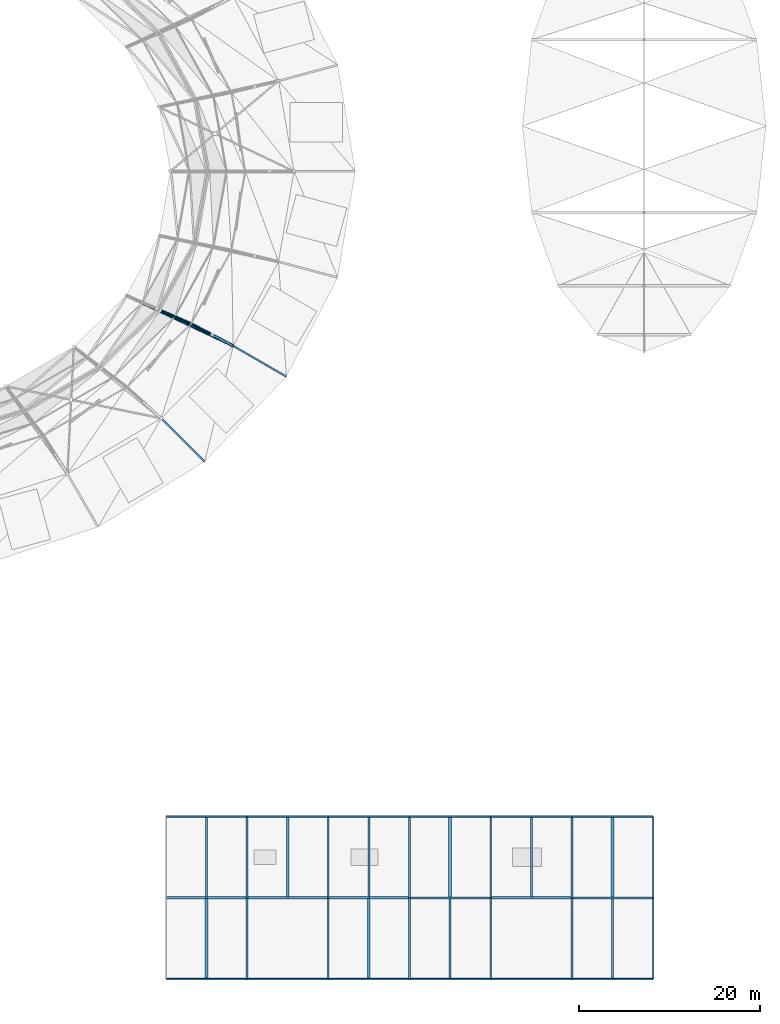
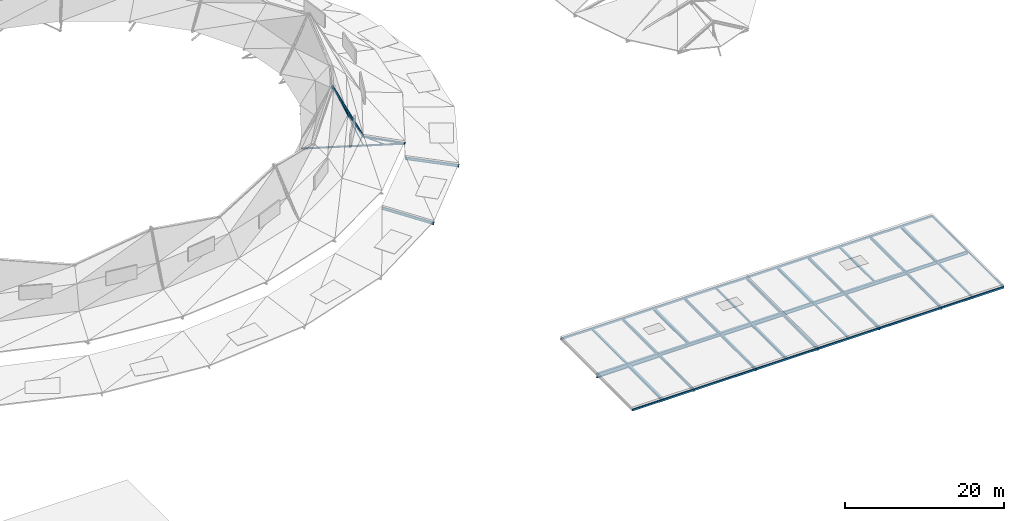
# One storey, part 17 of 36: 43 beams, 4 members.
"""IFC4 building model written with IfcOpenShell, lengths in metres."""

from ifc_helpers import new_model, si_unit, direction, frame, origin, origin_2d, place, context, subcontext, project, spatial, hollow_rectangle, hollow_circle, i_section, extrude, material, material_profile, profile_set, type_object, element, save


model = new_model("IFC4")

# Units and contexts
model_context = context("Model", 3, precision=1e-05, world=origin(), true_north=direction((0.0, 1.0)))
body_context = subcontext(model_context, "Body", "Model", "MODEL_VIEW")
ifc_project = project(units=[si_unit("LENGTHUNIT", "METRE"), si_unit("AREAUNIT", "SQUARE_METRE"), si_unit("VOLUMEUNIT", "CUBIC_METRE"), si_unit("PLANEANGLEUNIT", "RADIAN"), si_unit("MASSUNIT", "GRAM", prefix="KILO")], contexts=[model_context])

# Site, building, storey
site_placement = place(None, origin())
site = spatial("IfcSite", under=ifc_project, at=site_placement, CompositionType="ELEMENT")
building_placement = place(site_placement, origin())
building = spatial("IfcBuilding", under=site, at=building_placement, Name="Kildeholm Park Wholesale Market", CompositionType="ELEMENT")
storey_placement = place(building_placement, frame((0.0, 0.0, 17.39990234375)))
storey = spatial("IfcBuildingStorey", under=building, at=storey_placement, Name="Roof", CompositionType="ELEMENT", Elevation=17.39990234375)

# Beams
ifc_material = material(Name="Steel S355", Category="steel")
ifc_material_profile_1 = material_profile(ifc_material, i_section(OverallWidth=0.179931640625, OverallDepth=0.39990234375, WebThickness=0.008544921875, FlangeThickness=0.013427734375, FilletRadius=0.02099609375, at=origin_2d()), Name="IPE 400")
ifc_profile_set_1 = profile_set([ifc_material_profile_1], Name="Steel S355")
beam_type_1 = type_object("IfcBeamType", Name="Beam B-P01 IPE 400", PredefinedType="BEAM", material=ifc_profile_set_1)
beam_1_placement = place(storey_placement, frame((139.304931640625, 57.326904296875, -8.0244140625), z_axis=(-0.697189304401, 0.6972247073, 0.166747657733), x_axis=(-0.707124733755, -0.707088828163, 0.0)))
element("IfcBeam", 1, at=beam_1_placement, inside=storey, type_object=beam_type_1, Name="Beam BM-V1-RF-S1-21 BM-0345", PredefinedType="BEAM", context=body_context, shape_type="SweptSolid", body=[
    extrude(i_section(OverallWidth=0.179931640625, OverallDepth=0.39990234375, WebThickness=0.008544921875, FlangeThickness=0.013427734375, FilletRadius=0.02099609375, at=origin_2d()), origin(), (0.0, 0.0, 1.0), 6.89599609375),
])
beam_2_placement = place(storey_placement, frame((148.363037109375, 66.75, -8.0244140625), z_axis=(-0.853906130286, 0.492993523087, 0.166738438442), x_axis=(-0.499992841449, -0.866029536736, 0.0)))
element("IfcBeam", 2, at=beam_2_placement, inside=storey, type_object=beam_type_1, Name="Beam BM-V1-RF-S1-22 BM-0351", PredefinedType="BEAM", context=body_context, shape_type="SweptSolid", body=[
    extrude(i_section(OverallWidth=0.179931640625, OverallDepth=0.39990234375, WebThickness=0.008544921875, FlangeThickness=0.013427734375, FilletRadius=0.02099609375, at=origin_2d()), origin(), (0.0, 0.0, 1.0), 6.896484375),
])
ifc_material_profile_2 = material_profile(ifc_material, i_section(OverallWidth=0.18994140625, OverallDepth=0.449951171875, WebThickness=0.009521484375, FlangeThickness=0.0146484375, FilletRadius=0.02099609375, at=origin_2d()), Name="IPE 450")
ifc_profile_set_2 = profile_set([ifc_material_profile_2], Name="Steel S355")
beam_type_2 = type_object("IfcBeamType", Name="Beam B-P02 IPE 450", PredefinedType="BEAM", material=ifc_profile_set_2)
for number, where, z_axis, x_axis, name in (
    (3, (144.0, 0.0, -0.5048828125), (0.0, 1.0, 0.0), (-1.0, 0.0, 0.0), "Beam BM-V5E-Roof-Y-144-000 BM-1745"),
    (4, (144.0, 9.0, -0.5048828125), (0.0, 1.0, 0.0), (-1.0, 0.0, 0.0), "Beam BM-V5E-Roof-Y-144-009 BM-1747"),
    (5, (153.0, 0.0, -0.5048828125), (0.0, 1.0, 0.0), (-1.0, 0.0, 0.0), "Beam BM-V5E-Roof-Y-153-000 BM-1751"),
    (6, (153.0, 9.0, -0.5048828125), (0.0, 1.0, 0.0), (-1.0, 0.0, 0.0), "Beam BM-V5E-Roof-Y-153-009 BM-1754"),
    (7, (162.0, 0.0, -0.5048828125), (0.0, 1.0, 0.0), (-1.0, 0.0, 0.0), "Beam BM-V5E-Roof-Y-162-000 BM-1758"),
    (8, (162.0, 9.0, -0.5048828125), (0.0, 1.0, 0.0), (-1.0, 0.0, 0.0), "Beam BM-V5E-Roof-Y-162-009 BM-1761"),
    (9, (171.0, 0.0, -0.5048828125), (0.0, 1.0, 0.0), (-1.0, 0.0, 0.0), "Beam BM-V5E-Roof-Y-171-000 BM-1765"),
    (10, (171.0, 9.0, -0.5048828125), (0.0, 1.0, 0.0), (-1.0, 0.0, 0.0), "Beam BM-V5E-Roof-Y-171-009 BM-1767"),
    (11, (180.0, 0.0, -0.5048828125), (0.0, 1.0, 0.0), (-1.0, 0.0, 0.0), "Beam BM-V5E-Roof-Y-180-000 BM-1771"),
    (12, (180.0, 9.0, -0.5048828125), (0.0, 1.0, 0.0), (-1.0, 0.0, 0.0), "Beam BM-V5E-Roof-Y-180-009 BM-1774"),
):
    element("IfcBeam", number, at=place(storey_placement, frame(where, z_axis=z_axis, x_axis=x_axis)), inside=storey, type_object=beam_type_2, Name=name, PredefinedType="BEAM", context=body_context, shape_type="SweptSolid", body=[
        extrude(i_section(OverallWidth=0.18994140625, OverallDepth=0.449951171875, WebThickness=0.009521484375, FlangeThickness=0.0146484375, FilletRadius=0.02099609375, at=origin_2d()), origin(), (0.0, 0.0, 1.0), 9.0),
    ])
ifc_material_profile_3 = material_profile(ifc_material, i_section(OverallWidth=0.199951171875, OverallDepth=0.5, WebThickness=0.01025390625, FlangeThickness=0.01611328125, FilletRadius=0.02099609375, at=origin_2d()), Name="IPE 500")
ifc_profile_set_3 = profile_set([ifc_material_profile_3], Name="Steel S355")
beam_type_3 = type_object("IfcBeamType", Name="Beam B-P03 IPE 500", PredefinedType="BEAM", material=ifc_profile_set_3)
beam_3_placement = place(storey_placement, frame((180.0, 9.0, -0.52978515625), z_axis=(1.0, 0.0, 0.0), x_axis=(0.0, 1.0, 0.0)))
element("IfcBeam", 13, at=beam_3_placement, inside=storey, type_object=beam_type_3, Name="Beam BM-V5E-Roof-X-180-009 BM-1773", PredefinedType="BEAM", context=body_context, shape_type="SweptSolid", body=[
    extrude(i_section(OverallWidth=0.199951171875, OverallDepth=0.5, WebThickness=0.01025390625, FlangeThickness=0.01611328125, FilletRadius=0.02099609375, at=origin_2d()), origin(), (0.0, 0.0, 1.0), 9.0),
])
ifc_material_profile_4 = material_profile(ifc_material, hollow_circle(Radius=0.136474609375, WallThickness=0.01611328125, at=origin_2d()), Name="CHS 273x16")
ifc_profile_set_4 = profile_set([ifc_material_profile_4], Name="Steel S355")
beam_type_4 = type_object("IfcBeamType", Name="Beam B-T01 CHS 273x16", PredefinedType="BEAM", material=ifc_profile_set_4)
beam_4_placement = place(storey_placement, frame((142.47412109375, 70.14990234375, -4.6298828125), z_axis=(-0.904317894242, 0.426859632846, 0.0), x_axis=(-0.426859632846, -0.904317894242, 0.0)))
element("IfcBeam", 14, at=beam_4_placement, inside=storey, type_object=beam_type_4, Name="Beam BM-V1-TIE-22 BM-0356", PredefinedType="BEAM", context=body_context, shape_type="SweptSolid", body=[
    extrude(hollow_circle(Radius=0.136474609375, WallThickness=0.01611328125, at=origin_2d()), origin(), (0.0, 0.0, 1.0), 13.119384765625),
])
ifc_material_profile_5 = material_profile(ifc_material, i_section(OverallWidth=0.2099609375, OverallDepth=0.550048828125, WebThickness=0.010986328125, FlangeThickness=0.01708984375, FilletRadius=0.02392578125, at=origin_2d()), Name="IPE 550")
ifc_profile_set_5 = profile_set([ifc_material_profile_5], Name="Steel S355")
beam_type_5 = type_object("IfcBeamType", Name="Beam B-X01 IPE 550", PredefinedType="BEAM", material=ifc_profile_set_5)
beam_5_placement = place(storey_placement, frame((162.0, 9.0, -0.554931640625), z_axis=(1.0, 0.0, 0.0), x_axis=(0.0, 1.0, 0.0)))
element("IfcBeam", 15, at=beam_5_placement, inside=storey, type_object=beam_type_5, Name="Beam BM-V5E-Roof-X-162-009 BM-1760", PredefinedType="BEAM", context=body_context, shape_type="SweptSolid", body=[
    extrude(i_section(OverallWidth=0.2099609375, OverallDepth=0.550048828125, WebThickness=0.010986328125, FlangeThickness=0.01708984375, FilletRadius=0.02392578125, at=origin_2d()), origin(), (0.0, 0.0, 1.0), 9.0),
])
ifc_material_profile_6 = material_profile(ifc_material, i_section(OverallWidth=0.300048828125, OverallDepth=0.5400390625, WebThickness=0.012451171875, FlangeThickness=0.02392578125, FilletRadius=0.027099609375, at=origin_2d()), Name="HEA 550")
ifc_profile_set_6 = profile_set([ifc_material_profile_6], Name="Steel S355")
beam_type_6 = type_object("IfcBeamType", Name="Beam B-X02 HEA 550", PredefinedType="BEAM", material=ifc_profile_set_6)
beam_6_placement = place(storey_placement, frame((171.0, 9.0, -0.5498046875), z_axis=(1.0, 0.0, 0.0), x_axis=(0.0, 1.0, 0.0)))
element("IfcBeam", 16, at=beam_6_placement, inside=storey, type_object=beam_type_6, Name="Beam BM-V5E-Roof-X-171-009 BM-1766", PredefinedType="BEAM", context=body_context, shape_type="SweptSolid", body=[
    extrude(i_section(OverallWidth=0.300048828125, OverallDepth=0.5400390625, WebThickness=0.012451171875, FlangeThickness=0.02392578125, FilletRadius=0.027099609375, at=origin_2d()), origin(), (0.0, 0.0, 1.0), 9.0),
])
ifc_material_profile_7 = material_profile(ifc_material, i_section(OverallWidth=0.300048828125, OverallDepth=0.64990234375, WebThickness=0.01611328125, FlangeThickness=0.031005859375, FilletRadius=0.027099609375, at=origin_2d()), Name="HEB 650")
ifc_profile_set_7 = profile_set([ifc_material_profile_7], Name="Steel S355")
beam_type_7 = type_object("IfcBeamType", Name="Beam B-X04 HEB 650", PredefinedType="BEAM", material=ifc_profile_set_7)
beam_7_placement = place(storey_placement, frame((135.0, 9.0, -0.60498046875), z_axis=(1.0, 0.0, 0.0), x_axis=(0.0, 1.0, 0.0)))
element("IfcBeam", 17, at=beam_7_placement, inside=storey, type_object=beam_type_7, Name="Beam BM-V5E-Roof-X-135-009 BM-1740", PredefinedType="BEAM", context=body_context, shape_type="SweptSolid", body=[
    extrude(i_section(OverallWidth=0.300048828125, OverallDepth=0.64990234375, WebThickness=0.01611328125, FlangeThickness=0.031005859375, FilletRadius=0.027099609375, at=origin_2d()), origin(), (0.0, 0.0, 1.0), 9.0),
])
ifc_material_profile_8 = material_profile(ifc_material, i_section(OverallWidth=0.300048828125, OverallDepth=0.5, WebThickness=0.014404296875, FlangeThickness=0.028076171875, FilletRadius=0.027099609375, at=origin_2d()), Name="HEB 500")
ifc_profile_set_8 = profile_set([ifc_material_profile_8], Name="Steel S355")
beam_type_8 = type_object("IfcBeamType", Name="Beam B-X05 HEB 500", PredefinedType="BEAM", material=ifc_profile_set_8)
beam_8_placement = place(storey_placement, frame((144.0, 9.0, -0.52978515625), z_axis=(1.0, 0.0, 0.0), x_axis=(0.0, 1.0, 0.0)))
element("IfcBeam", 18, at=beam_8_placement, inside=storey, type_object=beam_type_8, Name="Beam BM-V5E-Roof-X-144-009 BM-1746", PredefinedType="BEAM", context=body_context, shape_type="SweptSolid", body=[
    extrude(i_section(OverallWidth=0.300048828125, OverallDepth=0.5, WebThickness=0.014404296875, FlangeThickness=0.028076171875, FilletRadius=0.027099609375, at=origin_2d()), origin(), (0.0, 0.0, 1.0), 9.0),
])
ifc_material_profile_9 = material_profile(ifc_material, i_section(OverallWidth=0.300048828125, OverallDepth=0.60009765625, WebThickness=0.015380859375, FlangeThickness=0.030029296875, FilletRadius=0.027099609375, at=origin_2d()), Name="HEB 600")
ifc_profile_set_9 = profile_set([ifc_material_profile_9], Name="Steel S355")
beam_type_9 = type_object("IfcBeamType", Name="Beam B-X06 HEB 600", PredefinedType="BEAM", material=ifc_profile_set_9)
beam_9_placement = place(storey_placement, frame((153.0, 9.0, -0.579833984375), z_axis=(1.0, 0.0, 0.0), x_axis=(0.0, 1.0, 0.0)))
element("IfcBeam", 19, at=beam_9_placement, inside=storey, type_object=beam_type_9, Name="Beam BM-V5E-Roof-X-153-009 BM-1753", PredefinedType="BEAM", context=body_context, shape_type="SweptSolid", body=[
    extrude(i_section(OverallWidth=0.300048828125, OverallDepth=0.60009765625, WebThickness=0.015380859375, FlangeThickness=0.030029296875, FilletRadius=0.027099609375, at=origin_2d()), origin(), (0.0, 0.0, 1.0), 9.0),
])
ifc_material_profile_10 = material_profile(ifc_material, i_section(OverallWidth=0.239990234375, OverallDepth=0.22998046875, WebThickness=0.007568359375, FlangeThickness=0.011962890625, FilletRadius=0.02099609375, at=origin_2d()), Name="HEA 240")
ifc_profile_set_10 = profile_set([ifc_material_profile_10], Name="Steel S355")
beam_type_10 = type_object("IfcBeamType", Name="Beam J-05 HEA 240", PredefinedType="JOIST", material=ifc_profile_set_10)
for number, where, z_axis, x_axis, name in (
    (20, (139.5, 9.0849609375, -0.39501953125), (0.0, 1.0, 0.0), (-1.0, 0.0, 0.0), "Beam JT-V5E-Roof-135-009 BM-1742"),
    (21, (157.5, 9.0849609375, -0.39501953125), (0.0, 1.0, 0.0), (-1.0, 0.0, 0.0), "Beam JT-V5E-Roof-153-009 BM-1755"),
    (22, (166.5, 0.0849609375, -0.39501953125), (0.0, 1.0, 0.0), (-1.0, 0.0, 0.0), "Beam JT-V5E-Roof-162-000 BM-1759"),
    (23, (175.5, 9.0849609375, -0.39501953125), (0.0, 1.0, 0.0), (-1.0, 0.0, 0.0), "Beam JT-V5E-Roof-171-009 BM-1768"),
    (24, (184.5, 0.0849609375, -0.39501953125), (0.0, 1.0, 0.0), (-1.0, 0.0, 0.0), "Beam JT-V5E-Roof-180-000 BM-1772"),
):
    element("IfcBeam", number, at=place(storey_placement, frame(where, z_axis=z_axis, x_axis=x_axis)), inside=storey, type_object=beam_type_10, Name=name, PredefinedType="JOIST", context=body_context, shape_type="SweptSolid", body=[
        extrude(i_section(OverallWidth=0.239990234375, OverallDepth=0.22998046875, WebThickness=0.007568359375, FlangeThickness=0.011962890625, FilletRadius=0.02099609375, at=origin_2d()), origin(), (0.0, 0.0, 1.0), 8.830078125),
    ])
ifc_material_profile_11 = material_profile(ifc_material, i_section(OverallWidth=0.300048828125, OverallDepth=0.389892578125, WebThickness=0.010986328125, FlangeThickness=0.01904296875, FilletRadius=0.027099609375, at=origin_2d()), Name="HEA 400")
ifc_profile_set_11 = profile_set([ifc_material_profile_11], Name="Steel S355")
beam_type_11 = type_object("IfcBeamType", Name="Beam J-06 HEA 400", PredefinedType="JOIST", material=ifc_profile_set_11)
for number, where, z_axis, x_axis, name in (
    (25, (139.5, 0.0849609375, -0.474853515625), (0.0, 1.0, 0.0), (-1.0, 0.0, 0.0), "Beam JT-V5E-Roof-135-000 BM-1739"),
    (26, (148.5, 9.0849609375, -0.474853515625), (0.0, 1.0, 0.0), (-1.0, 0.0, 0.0), "Beam JT-V5E-Roof-144-009 BM-1748"),
    (27, (157.5, 0.0849609375, -0.474853515625), (0.0, 1.0, 0.0), (-1.0, 0.0, 0.0), "Beam JT-V5E-Roof-153-000 BM-1752"),
    (28, (166.5, 9.0849609375, -0.474853515625), (0.0, 1.0, 0.0), (-1.0, 0.0, 0.0), "Beam JT-V5E-Roof-162-009 BM-1762"),
    (29, (184.5, 9.0849609375, -0.474853515625), (0.0, 1.0, 0.0), (-1.0, 0.0, 0.0), "Beam JT-V5E-Roof-180-009 BM-1775"),
):
    element("IfcBeam", number, at=place(storey_placement, frame(where, z_axis=z_axis, x_axis=x_axis)), inside=storey, type_object=beam_type_11, Name=name, PredefinedType="JOIST", context=body_context, shape_type="SweptSolid", body=[
        extrude(i_section(OverallWidth=0.300048828125, OverallDepth=0.389892578125, WebThickness=0.010986328125, FlangeThickness=0.01904296875, FilletRadius=0.027099609375, at=origin_2d()), origin(), (0.0, 0.0, 1.0), 8.830078125),
    ])
ifc_material_profile_12 = material_profile(ifc_material, hollow_rectangle(XDim=0.199951171875, YDim=0.300048828125, WallThickness=0.012451171875, InnerFilletRadius=0.012451171875, OuterFilletRadius=0.02490234375, at=origin_2d()), Name="RHS 300x200x12.5")
ifc_profile_set_12 = profile_set([ifc_material_profile_12], Name="Steel S355")
beam_type_12 = type_object("IfcBeamType", Name="Beam SP-01 RHS 300x200x12.5", PredefinedType="SPANDREL", material=ifc_profile_set_12)
for number, where, z_axis, x_axis, name in (
    (30, (135.0, 0.0, -0.429931640625), (1.0, 0.0, 0.0), (0.0, 1.0, 0.0), "Beam BM-V5E-Roof-X-135-000 BM-1737"),
    (31, (135.0, 18.0, -0.429931640625), (1.0, 0.0, 0.0), (0.0, 1.0, 0.0), "Beam BM-V5E-Roof-X-135-018 BM-1743"),
    (32, (144.0, 0.0, -0.429931640625), (1.0, 0.0, 0.0), (0.0, 1.0, 0.0), "Beam BM-V5E-Roof-X-144-000 BM-1744"),
    (33, (144.0, 18.0, -0.429931640625), (1.0, 0.0, 0.0), (0.0, 1.0, 0.0), "Beam BM-V5E-Roof-X-144-018 BM-1749"),
    (34, (153.0, 0.0, -0.429931640625), (1.0, 0.0, 0.0), (0.0, 1.0, 0.0), "Beam BM-V5E-Roof-X-153-000 BM-1750"),
    (35, (153.0, 18.0, -0.429931640625), (1.0, 0.0, 0.0), (0.0, 1.0, 0.0), "Beam BM-V5E-Roof-X-153-018 BM-1756"),
    (36, (162.0, 0.0, -0.429931640625), (1.0, 0.0, 0.0), (0.0, 1.0, 0.0), "Beam BM-V5E-Roof-X-162-000 BM-1757"),
    (37, (162.0, 18.0, -0.429931640625), (1.0, 0.0, 0.0), (0.0, 1.0, 0.0), "Beam BM-V5E-Roof-X-162-018 BM-1763"),
    (38, (171.0, 0.0, -0.429931640625), (1.0, 0.0, 0.0), (0.0, 1.0, 0.0), "Beam BM-V5E-Roof-X-171-000 BM-1764"),
    (39, (171.0, 18.0, -0.429931640625), (1.0, 0.0, 0.0), (0.0, 1.0, 0.0), "Beam BM-V5E-Roof-X-171-018 BM-1769"),
    (40, (180.0, 0.0, -0.429931640625), (1.0, 0.0, 0.0), (0.0, 1.0, 0.0), "Beam BM-V5E-Roof-X-180-000 BM-1770"),
    (41, (180.0, 18.0, -0.429931640625), (1.0, 0.0, 0.0), (0.0, 1.0, 0.0), "Beam BM-V5E-Roof-X-180-018 BM-1776"),
):
    element("IfcBeam", number, at=place(storey_placement, frame(where, z_axis=z_axis, x_axis=x_axis)), inside=storey, type_object=beam_type_12, Name=name, PredefinedType="SPANDREL", context=body_context, shape_type="SweptSolid", body=[
        extrude(hollow_rectangle(XDim=0.199951171875, YDim=0.300048828125, WallThickness=0.012451171875, InnerFilletRadius=0.012451171875, OuterFilletRadius=0.02490234375, at=origin_2d()), origin(), (0.0, 0.0, 1.0), 9.0),
    ])
ifc_material_profile_13 = material_profile(ifc_material, hollow_rectangle(XDim=0.14990234375, YDim=0.25, WallThickness=0.010009765625, InnerFilletRadius=0.010009765625, OuterFilletRadius=0.02001953125, at=origin_2d()), Name="RHS 250x150x10")
ifc_profile_set_13 = profile_set([ifc_material_profile_13], Name="Steel S355")
beam_type_13 = type_object("IfcBeamType", Name="Beam SP-02 RHS 250x150x10", PredefinedType="SPANDREL", material=ifc_profile_set_13)
for number, where, z_axis, x_axis, name in (
    (42, (189.0, 0.0, -0.40478515625), (0.0, 1.0, 0.0), (-1.0, 0.0, 0.0), "Beam BM-V5E-Roof-Y-189-000 BM-1777"),
    (43, (189.0, 9.0, -0.40478515625), (0.0, 1.0, 0.0), (-1.0, 0.0, 0.0), "Beam BM-V5E-Roof-Y-189-009 BM-1778"),
):
    element("IfcBeam", number, at=place(storey_placement, frame(where, z_axis=z_axis, x_axis=x_axis)), inside=storey, type_object=beam_type_13, Name=name, PredefinedType="SPANDREL", context=body_context, shape_type="SweptSolid", body=[
        extrude(hollow_rectangle(XDim=0.14990234375, YDim=0.25, WallThickness=0.010009765625, InnerFilletRadius=0.010009765625, OuterFilletRadius=0.02001953125, at=origin_2d()), origin(), (0.0, 0.0, 1.0), 9.0),
    ])

# Members
ifc_material_profile_14 = material_profile(ifc_material, hollow_circle(Radius=0.084228515625, WallThickness=0.010009765625, at=origin_2d()), Name="CHS 168.3x10")
ifc_profile_set_14 = profile_set([ifc_material_profile_14], Name="Steel S355")
member_type_1 = type_object("IfcMemberType", Name="Member TB-01 CHS 168.3x10", PredefinedType="BRACE", material=ifc_profile_set_14)
member_1_placement = place(storey_placement, frame((140.135986328125, 71.375, -4.6298828125), z_axis=(-0.801693118644, 0.420101928713, 0.425208787551), x_axis=(-0.464152153462, -0.885755484565, 0.0)))
element("IfcMember", 44, at=member_1_placement, inside=storey, type_object=member_type_1, Name="Member TR-V1-22-WB1 MEM-0288", PredefinedType="BRACE", context=body_context, shape_type="SweptSolid", body=[
    extrude(hollow_circle(Radius=0.084228515625, WallThickness=0.010009765625, at=origin_2d()), origin(), (0.0, 0.0, 1.0), 2.916259765625),
])
member_2_placement = place(storey_placement, frame((137.798095703125, 72.60009765625, -4.6298828125), z_axis=(-0.356379261851, 0.156171633598, 0.921197178992), x_axis=(-0.401370362449, -0.915915843376, 0.0)))
element("IfcMember", 45, at=member_2_placement, inside=storey, type_object=member_type_1, Name="Member TR-V1-22-WB2 MEM-0289", PredefinedType="BRACE", context=body_context, shape_type="SweptSolid", body=[
    extrude(hollow_circle(Radius=0.084228515625, WallThickness=0.010009765625, at=origin_2d()), origin(), (0.0, 0.0, 1.0), 10.084716796875),
])
ifc_material_profile_15 = material_profile(ifc_material, hollow_circle(Radius=0.161865234375, WallThickness=0.01611328125, at=origin_2d()), Name="CHS 323.9x16")
ifc_profile_set_15 = profile_set([ifc_material_profile_15], Name="Steel S355")
member_type_2 = type_object("IfcMemberType", Name="Member TC-01 CHS 323.9x16", PredefinedType="CHORD", material=ifc_profile_set_15)
member_3_placement = place(storey_placement, frame((142.47412109375, 70.14990234375, -4.579833984375), z_axis=(-0.864086026653, 0.4527733182, 0.219890110892), x_axis=(-0.464133140114, -0.885765447649, 0.0)))
element("IfcMember", 46, at=member_3_placement, inside=storey, type_object=member_type_2, Name="Member TR-V1-22-TC1 MEM-0283", PredefinedType="CHORD", context=body_context, shape_type="SweptSolid", body=[
    extrude(hollow_circle(Radius=0.161865234375, WallThickness=0.01611328125, at=origin_2d()), origin(), (0.0, 0.0, 1.0), 5.41162109375),
])
member_4_placement = place(storey_placement, frame((137.798095703125, 72.60009765625, -3.389892578125), z_axis=(-0.401318045198, 0.175864595447, 0.898896807574), x_axis=(-0.401370362449, -0.915915843376, 0.0)))
element("IfcMember", 47, at=member_4_placement, inside=storey, type_object=member_type_2, Name="Member TR-V1-22-TC2 MEM-0284", PredefinedType="CHORD", context=body_context, shape_type="SweptSolid", body=[
    extrude(hollow_circle(Radius=0.161865234375, WallThickness=0.01611328125, at=origin_2d()), origin(), (0.0, 0.0, 1.0), 8.95556640625),
])

save(model, "model.ifc")
